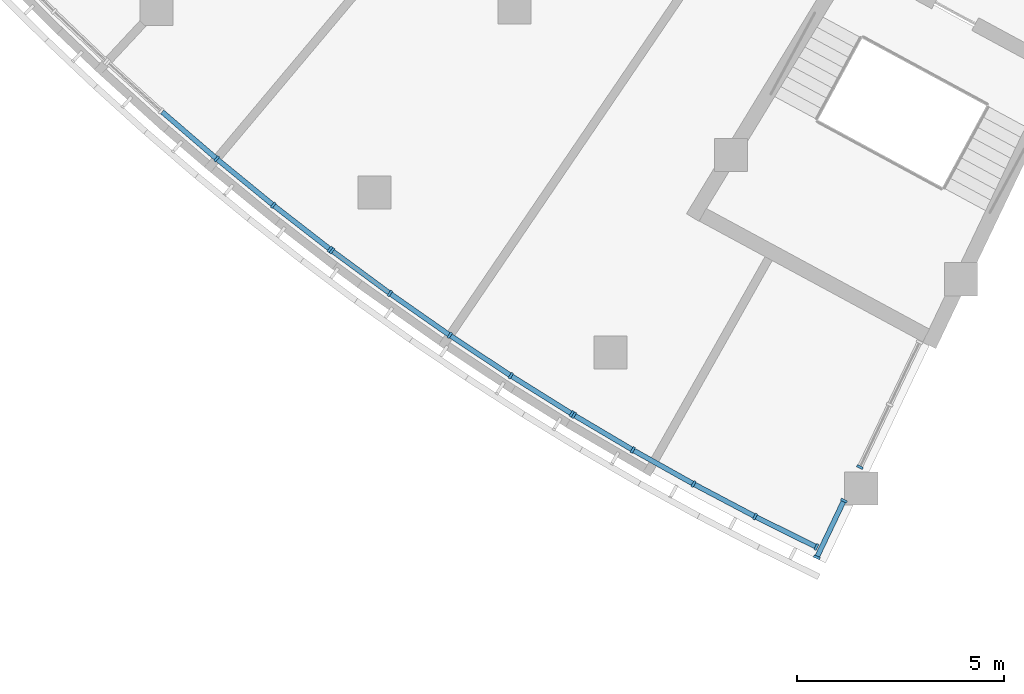
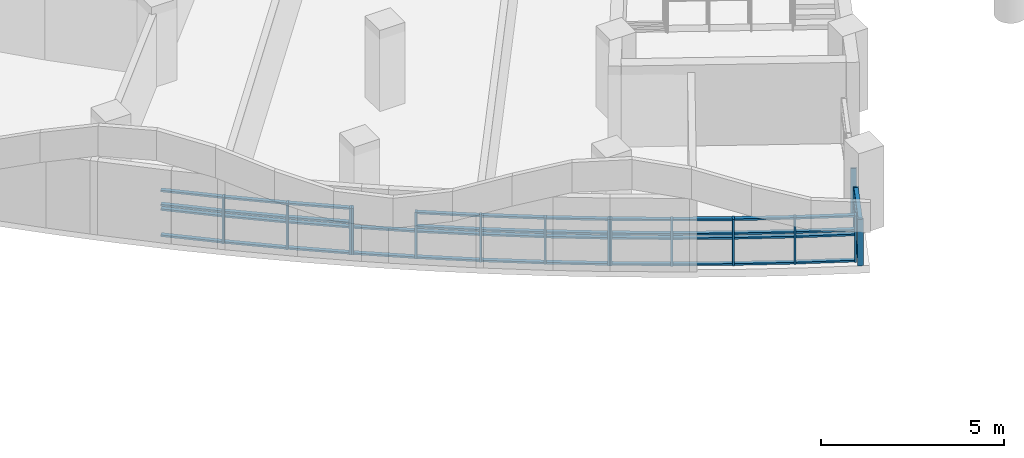
# One storey, part 3 of 89: 62 members, 5 elements without a shape of their own.
"""IFC4 building model written with IfcOpenShell, lengths in metres."""

from ifc_helpers import new_model, si_unit, direction, frame, origin, origin_2d, place, context, subcontext, project, spatial, rectangle, extrude, material, material_profile, profile_set, type_object, element, aggregate, save


model = new_model("IFC4")

# Units and contexts
model_context = context("Model", 3, precision=1e-05, world=origin(), true_north=direction((0.0, 1.0)))
body_context = subcontext(model_context, "Body", "Model", "MODEL_VIEW")
ifc_project = project(units=[si_unit("LENGTHUNIT", "METRE"), si_unit("AREAUNIT", "SQUARE_METRE"), si_unit("VOLUMEUNIT", "CUBIC_METRE"), si_unit("PLANEANGLEUNIT", "RADIAN"), si_unit("MASSUNIT", "GRAM", prefix="KILO")], contexts=[model_context])

# Site, building, storey
site_placement = place(None, origin())
site = spatial("IfcSite", under=ifc_project, at=site_placement, CompositionType="ELEMENT")
building_placement = place(site_placement, origin())
building = spatial("IfcBuilding", under=site, at=building_placement, Name="Bougainvillea Quay General Hospital", CompositionType="ELEMENT")
storey_placement = place(building_placement, frame((0.0, 0.0, 9.89990234375)))
storey = spatial("IfcBuildingStorey", under=building, at=storey_placement, Name="L01M", CompositionType="ELEMENT", Elevation=9.89990234375)

# Curtain wall, members
ifc_material_1 = material(Name="Aluminium curtain wall system, powder-coated glazed", Category="aluminium")
curtain_wall_type_1 = type_object("IfcCurtainWallType", Name="Unitised curtain wall CW-2100", PredefinedType="NOTDEFINED", material=ifc_material_1)
curtain_wall_1_placement = place(storey_placement, origin())
curtain_wall_1 = element("IfcCurtainWall", 1, at=curtain_wall_1_placement, inside=storey, type_object=curtain_wall_type_1, Name="CW-W01 a01b0", PredefinedType="NOTDEFINED")
ifc_material_2 = material(Name="Aluminium mullion, powder-coated charcoal", Category="aluminium")
ifc_material_profile_1 = material_profile(ifc_material_2, rectangle(XDim=0.159912109375, YDim=0.06005859375, at=origin_2d()))
ifc_profile_set_1 = profile_set([ifc_material_profile_1], Name="Aluminium mullion, powder-coated charcoal")
member_type_1 = type_object("IfcMemberType", Name="Curtain wall mullion 160x60", PredefinedType="MULLION", material=ifc_profile_set_1)
member_1_placement = place(storey_placement, frame((78.83935546875, 63.204833984375, 0.0), z_axis=(0.0, 0.0, 1.0), x_axis=(-0.445731386172, -0.895166761772, 0.0)))
member_1 = element("IfcMember", 2, at=member_1_placement, type_object=member_type_1, Name="CW-W01 mullion 1", PredefinedType="MULLION", context=body_context, shape_type="SweptSolid", body=[
    extrude(rectangle(XDim=0.159912109375, YDim=0.06005859375, at=origin_2d()), origin(), (0.0, 0.0, 1.0), 1.550048828125),
])
member_2_placement = place(storey_placement, frame((77.358642578125, 63.94189453125, 0.0), z_axis=(0.0, 0.0, 1.0), x_axis=(-0.456505398476, -0.889720642203, 0.0)))
member_2 = element("IfcMember", 3, at=member_2_placement, type_object=member_type_1, Name="CW-W01 mullion 2", PredefinedType="MULLION", context=body_context, shape_type="SweptSolid", body=[
    extrude(rectangle(XDim=0.159912109375, YDim=0.06005859375, at=origin_2d()), origin(), (0.0, 0.0, 1.0), 1.550048828125),
])
member_3_placement = place(storey_placement, frame((75.869873046875, 64.728759765625, 0.0), z_axis=(0.0, 0.0, 1.0), x_axis=(-0.477852269892, -0.878440213195, 0.0)))
member_3 = element("IfcMember", 4, at=member_3_placement, type_object=member_type_1, Name="CW-W01 mullion 3", PredefinedType="MULLION", context=body_context, shape_type="SweptSolid", body=[
    extrude(rectangle(XDim=0.159912109375, YDim=0.06005859375, at=origin_2d()), origin(), (0.0, 0.0, 1.0), 1.550048828125),
])
member_4_placement = place(storey_placement, frame((74.400390625, 65.55126953125, 0.0), z_axis=(0.0, 0.0, 1.0), x_axis=(-0.498920583541, -0.866647708887, 0.0)))
member_4 = element("IfcMember", 5, at=member_4_placement, type_object=member_type_1, Name="CW-W01 mullion 4", PredefinedType="MULLION", context=body_context, shape_type="SweptSolid", body=[
    extrude(rectangle(XDim=0.159912109375, YDim=0.06005859375, at=origin_2d()), origin(), (0.0, 0.0, 1.0), 1.550048828125),
])
member_5_placement = place(storey_placement, frame((72.976806640625, 66.393798828125, 0.0), z_axis=(0.0, 0.0, 1.0), x_axis=(-0.509346436695, -0.860561565158, 0.0)))
member_5 = element("IfcMember", 6, at=member_5_placement, type_object=member_type_1, Name="CW-W01 mullion 5", PredefinedType="MULLION", context=body_context, shape_type="SweptSolid", body=[
    extrude(rectangle(XDim=0.159912109375, YDim=0.06005859375, at=origin_2d()), origin(), (0.0, 0.0, 1.0), 1.550048828125),
])

curtain_wall_2_placement = place(storey_placement, origin())
curtain_wall_2 = element("IfcCurtainWall", 7, at=curtain_wall_2_placement, inside=storey, type_object=curtain_wall_type_1, Name="CW-W02 a01b1", PredefinedType="NOTDEFINED")
member_6_placement = place(storey_placement, frame((72.925537109375, 66.425048828125, 0.0), z_axis=(0.0, 0.0, 1.0), x_axis=(-0.530488991968, -0.847691824545, 0.0)))
member_6 = element("IfcMember", 8, at=member_6_placement, type_object=member_type_1, Name="CW-W02 mullion 1", PredefinedType="MULLION", context=body_context, shape_type="SweptSolid", body=[
    extrude(rectangle(XDim=0.159912109375, YDim=0.06005859375, at=origin_2d()), origin(), (0.0, 0.0, 1.0), 1.550048828125),
])
member_7_placement = place(storey_placement, frame((71.45166015625, 67.347412109375, 0.0), z_axis=(0.0, 0.0, 1.0), x_axis=(-0.541194636325, -0.840897357359, 0.0)))
member_7 = element("IfcMember", 9, at=member_7_placement, type_object=member_type_1, Name="CW-W02 mullion 2", PredefinedType="MULLION", context=body_context, shape_type="SweptSolid", body=[
    extrude(rectangle(XDim=0.159912109375, YDim=0.06005859375, at=origin_2d()), origin(), (0.0, 0.0, 1.0), 1.550048828125),
])
member_8_placement = place(storey_placement, frame((69.9765625, 68.323486328125, 0.0), z_axis=(0.0, 0.0, 1.0), x_axis=(-0.562343185136, -0.826903949762, 0.0)))
member_8 = element("IfcMember", 10, at=member_8_placement, type_object=member_type_1, Name="CW-W02 mullion 3", PredefinedType="MULLION", context=body_context, shape_type="SweptSolid", body=[
    extrude(rectangle(XDim=0.159912109375, YDim=0.06005859375, at=origin_2d()), origin(), (0.0, 0.0, 1.0), 1.550048828125),
])
member_9_placement = place(storey_placement, frame((68.526611328125, 69.336669921875, 0.0), z_axis=(0.0, 0.0, 1.0), x_axis=(-0.583130104218, -0.812378779606, 0.0)))
member_9 = element("IfcMember", 11, at=member_9_placement, type_object=member_type_1, Name="CW-W02 mullion 4", PredefinedType="MULLION", context=body_context, shape_type="SweptSolid", body=[
    extrude(rectangle(XDim=0.159912109375, YDim=0.06005859375, at=origin_2d()), origin(), (0.0, 0.0, 1.0), 1.550048828125),
])
member_10_placement = place(storey_placement, frame((67.127197265625, 70.368408203125, 0.0), z_axis=(0.0, 0.0, 1.0), x_axis=(-0.593383765922, -0.804919689373, 0.0)))
member_10 = element("IfcMember", 12, at=member_10_placement, type_object=member_type_1, Name="CW-W02 mullion 5", PredefinedType="MULLION", context=body_context, shape_type="SweptSolid", body=[
    extrude(rectangle(XDim=0.159912109375, YDim=0.06005859375, at=origin_2d()), origin(), (0.0, 0.0, 1.0), 1.550048828125),
])

curtain_wall_3_placement = place(storey_placement, origin())
curtain_wall_3 = element("IfcCurtainWall", 13, at=curtain_wall_3_placement, inside=storey, type_object=curtain_wall_type_1, Name="CW-W03 a01b2", PredefinedType="NOTDEFINED")
member_11_placement = place(storey_placement, frame((67.079345703125, 70.404541015625, 0.0), z_axis=(0.0, 0.0, 1.0), x_axis=(-0.613603251226, -0.789614494602, 0.0)))
member_11 = element("IfcMember", 14, at=member_11_placement, type_object=member_type_1, Name="CW-W03 mullion 1", PredefinedType="MULLION", context=body_context, shape_type="SweptSolid", body=[
    extrude(rectangle(XDim=0.159912109375, YDim=0.06005859375, at=origin_2d()), origin(), (0.0, 0.0, 1.0), 1.550048828125),
])
member_12_placement = place(storey_placement, frame((65.706298828125, 71.471435546875, 0.0), z_axis=(0.0, 0.0, 1.0), x_axis=(-0.623565824026, -0.781770850765, 0.0)))
member_12 = element("IfcMember", 15, at=member_12_placement, type_object=member_type_1, Name="CW-W03 mullion 2", PredefinedType="MULLION", context=body_context, shape_type="SweptSolid", body=[
    extrude(rectangle(XDim=0.159912109375, YDim=0.06005859375, at=origin_2d()), origin(), (0.0, 0.0, 1.0), 1.550048828125),
])
member_13_placement = place(storey_placement, frame((64.337646484375, 72.591796875, 0.0), z_axis=(0.0, 0.0, 1.0), x_axis=(-0.643188621489, -0.765707775321, 0.0)))
member_13 = element("IfcMember", 16, at=member_13_placement, type_object=member_type_1, Name="CW-W03 mullion 3", PredefinedType="MULLION", context=body_context, shape_type="SweptSolid", body=[
    extrude(rectangle(XDim=0.159912109375, YDim=0.06005859375, at=origin_2d()), origin(), (0.0, 0.0, 1.0), 1.550048828125),
])

curtain_wall_type_2 = type_object("IfcCurtainWallType", Name="Unitised curtain wall CW-1580", PredefinedType="NOTDEFINED", material=ifc_material_1)
curtain_wall_4_placement = place(storey_placement, origin())
curtain_wall_4 = element("IfcCurtainWall", 17, at=curtain_wall_4_placement, inside=storey, type_object=curtain_wall_type_2, Name="CW-AE 00", PredefinedType="NOTDEFINED")
member_14_placement = place(storey_placement, frame((78.851318359375, 62.95361328125, 0.0), z_axis=(0.0, 0.0, 1.0), x_axis=(-0.902578440897, 0.430525444112, 0.0)))
member_14 = element("IfcMember", 18, at=member_14_placement, type_object=member_type_1, Name="CW-AE mullion 1", PredefinedType="MULLION", context=body_context, shape_type="SweptSolid", body=[
    extrude(rectangle(XDim=0.159912109375, YDim=0.06005859375, at=origin_2d()), origin(), (0.0, 0.0, 1.0), 1.550048828125),
])
member_15_placement = place(storey_placement, frame((79.505615234375, 64.325439453125, 0.0), z_axis=(0.0, 0.0, 1.0), x_axis=(-0.902578440897, 0.430525444112, 0.0)))
member_15 = element("IfcMember", 19, at=member_15_placement, type_object=member_type_1, Name="CW-AE mullion 2", PredefinedType="MULLION", context=body_context, shape_type="SweptSolid", body=[
    extrude(rectangle(XDim=0.159912109375, YDim=0.06005859375, at=origin_2d()), origin(), (0.0, 0.0, 1.0), 1.550048828125),
])

# Curtain wall, member
curtain_wall_type_3 = type_object("IfcCurtainWallType", Name="Unitised curtain wall CW-1703", PredefinedType="NOTDEFINED", material=ifc_material_1)
curtain_wall_5_placement = place(storey_placement, origin())
curtain_wall_5 = element("IfcCurtainWall", 20, at=curtain_wall_5_placement, inside=storey, type_object=curtain_wall_type_3, Name="CW-AE 01", PredefinedType="NOTDEFINED")
member_16_placement = place(storey_placement, frame((79.89306640625, 65.1376953125, 0.0), z_axis=(0.0, 0.0, 1.0), x_axis=(-0.902578440897, 0.430525444112, 0.0)))
member_16 = element("IfcMember", 21, at=member_16_placement, type_object=member_type_1, Name="CW-AE mullion 1", PredefinedType="MULLION", context=body_context, shape_type="SweptSolid", body=[
    extrude(rectangle(XDim=0.159912109375, YDim=0.06005859375, at=origin_2d()), origin(), (0.0, 0.0, 1.0), 1.550048828125),
])
aggregate(curtain_wall_5, [member_16])

# Member
ifc_material_3 = material(Name="Aluminium transom, powder-coated charcoal", Category="aluminium")
ifc_material_profile_2 = material_profile(ifc_material_3, rectangle(XDim=0.1201171875, YDim=0.06005859375, at=origin_2d()))
ifc_profile_set_2 = profile_set([ifc_material_profile_2], Name="Aluminium transom, powder-coated charcoal")
member_type_2 = type_object("IfcMemberType", Name="Curtain wall transom 120x60", PredefinedType="USERDEFINED", material=ifc_profile_set_2)
member_17_placement = place(storey_placement, frame((78.8125, 63.218017578125, 0.030029296875), z_axis=(-0.895130546745, 0.445804109765, 0.0), x_axis=(-0.445804109765, -0.895130546745, 0.0)))
member_17 = element("IfcMember", 22, at=member_17_placement, type_object=member_type_2, Name="CW-W01 transom 1.1", ObjectType="TRANSOM", PredefinedType="USERDEFINED", context=body_context, shape_type="SweptSolid", body=[
    extrude(rectangle(XDim=0.1201171875, YDim=0.06005859375, at=origin_2d()), origin(), (0.0, 0.0, 1.0), 1.59423828125),
])

member_18_placement = place(storey_placement, frame((78.8125, 63.218017578125, 0.900146484375), z_axis=(-0.895130546745, 0.445804109765, 0.0), x_axis=(-0.445804109765, -0.895130546745, 0.0)))
member_18 = element("IfcMember", 23, at=member_18_placement, type_object=member_type_2, Name="CW-W01 transom 1.2", ObjectType="TRANSOM", PredefinedType="USERDEFINED", context=body_context, shape_type="SweptSolid", body=[
    extrude(rectangle(XDim=0.1201171875, YDim=0.06005859375, at=origin_2d()), origin(), (0.0, 0.0, 1.0), 1.59423828125),
])

member_19_placement = place(storey_placement, frame((78.8125, 63.218017578125, 1.050048828125), z_axis=(-0.895130546745, 0.445804109765, 0.0), x_axis=(-0.445804109765, -0.895130546745, 0.0)))
member_19 = element("IfcMember", 24, at=member_19_placement, type_object=member_type_2, Name="CW-W01 transom 1.3", ObjectType="TRANSOM", PredefinedType="USERDEFINED", context=body_context, shape_type="SweptSolid", body=[
    extrude(rectangle(XDim=0.1201171875, YDim=0.06005859375, at=origin_2d()), origin(), (0.0, 0.0, 1.0), 1.59423828125),
])

member_20_placement = place(storey_placement, frame((78.8125, 63.218017578125, 1.52001953125), z_axis=(-0.895130546745, 0.445804109765, 0.0), x_axis=(-0.445804109765, -0.895130546745, 0.0)))
member_20 = element("IfcMember", 25, at=member_20_placement, type_object=member_type_2, Name="CW-W01 transom 1.4", ObjectType="TRANSOM", PredefinedType="USERDEFINED", context=body_context, shape_type="SweptSolid", body=[
    extrude(rectangle(XDim=0.1201171875, YDim=0.06005859375, at=origin_2d()), origin(), (0.0, 0.0, 1.0), 1.59423828125),
])

member_21_placement = place(storey_placement, frame((77.332275390625, 63.9560546875, 0.030029296875), z_axis=(-0.884160582564, 0.46718311639, 0.0), x_axis=(-0.46718311639, -0.884160582564, 0.0)))
member_21 = element("IfcMember", 26, at=member_21_placement, type_object=member_type_2, Name="CW-W01 transom 2.1", ObjectType="TRANSOM", PredefinedType="USERDEFINED", context=body_context, shape_type="SweptSolid", body=[
    extrude(rectangle(XDim=0.1201171875, YDim=0.06005859375, at=origin_2d()), origin(), (0.0, 0.0, 1.0), 1.624267578125),
])

member_22_placement = place(storey_placement, frame((77.332275390625, 63.9560546875, 0.900146484375), z_axis=(-0.884160582564, 0.46718311639, 0.0), x_axis=(-0.46718311639, -0.884160582564, 0.0)))
member_22 = element("IfcMember", 27, at=member_22_placement, type_object=member_type_2, Name="CW-W01 transom 2.2", ObjectType="TRANSOM", PredefinedType="USERDEFINED", context=body_context, shape_type="SweptSolid", body=[
    extrude(rectangle(XDim=0.1201171875, YDim=0.06005859375, at=origin_2d()), origin(), (0.0, 0.0, 1.0), 1.624267578125),
])

member_23_placement = place(storey_placement, frame((77.332275390625, 63.9560546875, 1.050048828125), z_axis=(-0.884160582564, 0.46718311639, 0.0), x_axis=(-0.46718311639, -0.884160582564, 0.0)))
member_23 = element("IfcMember", 28, at=member_23_placement, type_object=member_type_2, Name="CW-W01 transom 2.3", ObjectType="TRANSOM", PredefinedType="USERDEFINED", context=body_context, shape_type="SweptSolid", body=[
    extrude(rectangle(XDim=0.1201171875, YDim=0.06005859375, at=origin_2d()), origin(), (0.0, 0.0, 1.0), 1.624267578125),
])

member_24_placement = place(storey_placement, frame((77.332275390625, 63.9560546875, 1.52001953125), z_axis=(-0.884160582564, 0.46718311639, 0.0), x_axis=(-0.46718311639, -0.884160582564, 0.0)))
member_24 = element("IfcMember", 29, at=member_24_placement, type_object=member_type_2, Name="CW-W01 transom 2.4", ObjectType="TRANSOM", PredefinedType="USERDEFINED", context=body_context, shape_type="SweptSolid", body=[
    extrude(rectangle(XDim=0.1201171875, YDim=0.06005859375, at=origin_2d()), origin(), (0.0, 0.0, 1.0), 1.624267578125),
])

member_25_placement = place(storey_placement, frame((75.84375, 64.743408203125, 0.030029296875), z_axis=(-0.872621342538, 0.48839737156, 0.0), x_axis=(-0.48839737156, -0.872621342538, 0.0)))
member_25 = element("IfcMember", 30, at=member_25_placement, type_object=member_type_2, Name="CW-W01 transom 3.1", ObjectType="TRANSOM", PredefinedType="USERDEFINED", context=body_context, shape_type="SweptSolid", body=[
    extrude(rectangle(XDim=0.1201171875, YDim=0.06005859375, at=origin_2d()), origin(), (0.0, 0.0, 1.0), 1.6240234375),
])

member_26_placement = place(storey_placement, frame((75.84375, 64.743408203125, 0.900146484375), z_axis=(-0.872621342538, 0.48839737156, 0.0), x_axis=(-0.48839737156, -0.872621342538, 0.0)))
member_26 = element("IfcMember", 31, at=member_26_placement, type_object=member_type_2, Name="CW-W01 transom 3.2", ObjectType="TRANSOM", PredefinedType="USERDEFINED", context=body_context, shape_type="SweptSolid", body=[
    extrude(rectangle(XDim=0.1201171875, YDim=0.06005859375, at=origin_2d()), origin(), (0.0, 0.0, 1.0), 1.6240234375),
])

member_27_placement = place(storey_placement, frame((75.84375, 64.743408203125, 1.050048828125), z_axis=(-0.872621342538, 0.48839737156, 0.0), x_axis=(-0.48839737156, -0.872621342538, 0.0)))
member_27 = element("IfcMember", 32, at=member_27_placement, type_object=member_type_2, Name="CW-W01 transom 3.3", ObjectType="TRANSOM", PredefinedType="USERDEFINED", context=body_context, shape_type="SweptSolid", body=[
    extrude(rectangle(XDim=0.1201171875, YDim=0.06005859375, at=origin_2d()), origin(), (0.0, 0.0, 1.0), 1.6240234375),
])

member_28_placement = place(storey_placement, frame((75.84375, 64.743408203125, 1.52001953125), z_axis=(-0.872621342538, 0.48839737156, 0.0), x_axis=(-0.48839737156, -0.872621342538, 0.0)))
member_28 = element("IfcMember", 33, at=member_28_placement, type_object=member_type_2, Name="CW-W01 transom 3.4", ObjectType="TRANSOM", PredefinedType="USERDEFINED", context=body_context, shape_type="SweptSolid", body=[
    extrude(rectangle(XDim=0.1201171875, YDim=0.06005859375, at=origin_2d()), origin(), (0.0, 0.0, 1.0), 1.6240234375),
])

member_29_placement = place(storey_placement, frame((74.37451171875, 65.566650390625, 0.030029296875), z_axis=(-0.860545172696, 0.509374131409, 0.0), x_axis=(-0.509374131409, -0.860545172696, 0.0)))
member_29 = element("IfcMember", 34, at=member_29_placement, type_object=member_type_2, Name="CW-W01 transom 4.1", ObjectType="TRANSOM", PredefinedType="USERDEFINED", context=body_context, shape_type="SweptSolid", body=[
    extrude(rectangle(XDim=0.1201171875, YDim=0.06005859375, at=origin_2d()), origin(), (0.0, 0.0, 1.0), 1.59423828125),
])

member_30_placement = place(storey_placement, frame((74.37451171875, 65.566650390625, 0.900146484375), z_axis=(-0.860545172696, 0.509374131409, 0.0), x_axis=(-0.509374131409, -0.860545172696, 0.0)))
member_30 = element("IfcMember", 35, at=member_30_placement, type_object=member_type_2, Name="CW-W01 transom 4.2", ObjectType="TRANSOM", PredefinedType="USERDEFINED", context=body_context, shape_type="SweptSolid", body=[
    extrude(rectangle(XDim=0.1201171875, YDim=0.06005859375, at=origin_2d()), origin(), (0.0, 0.0, 1.0), 1.59423828125),
])

member_31_placement = place(storey_placement, frame((74.37451171875, 65.566650390625, 1.050048828125), z_axis=(-0.860545172696, 0.509374131409, 0.0), x_axis=(-0.509374131409, -0.860545172696, 0.0)))
member_31 = element("IfcMember", 36, at=member_31_placement, type_object=member_type_2, Name="CW-W01 transom 4.3", ObjectType="TRANSOM", PredefinedType="USERDEFINED", context=body_context, shape_type="SweptSolid", body=[
    extrude(rectangle(XDim=0.1201171875, YDim=0.06005859375, at=origin_2d()), origin(), (0.0, 0.0, 1.0), 1.59423828125),
])

member_32_placement = place(storey_placement, frame((74.37451171875, 65.566650390625, 1.52001953125), z_axis=(-0.860545172696, 0.509374131409, 0.0), x_axis=(-0.509374131409, -0.860545172696, 0.0)))
member_32 = element("IfcMember", 37, at=member_32_placement, type_object=member_type_2, Name="CW-W01 transom 4.4", ObjectType="TRANSOM", PredefinedType="USERDEFINED", context=body_context, shape_type="SweptSolid", body=[
    extrude(rectangle(XDim=0.1201171875, YDim=0.06005859375, at=origin_2d()), origin(), (0.0, 0.0, 1.0), 1.59423828125),
])

aggregate(curtain_wall_1, [member_1, member_2, member_3, member_4, member_5, member_17, member_18, member_19, member_20, member_21, member_22, member_23, member_24, member_25, member_26, member_27, member_28, member_29, member_30, member_31, member_32])

member_33_placement = place(storey_placement, frame((72.900146484375, 66.44091796875, 0.030029296875), z_axis=(-0.847679524006, 0.530508647036, 0.0), x_axis=(-0.530508647036, -0.847679524006, 0.0)))
member_33 = element("IfcMember", 38, at=member_33_placement, type_object=member_type_2, Name="CW-W02 transom 1.1", ObjectType="TRANSOM", PredefinedType="USERDEFINED", context=body_context, shape_type="SweptSolid", body=[
    extrude(rectangle(XDim=0.1201171875, YDim=0.06005859375, at=origin_2d()), origin(), (0.0, 0.0, 1.0), 1.6787109375),
])

member_34_placement = place(storey_placement, frame((72.900146484375, 66.44091796875, 0.900146484375), z_axis=(-0.847679524006, 0.530508647036, 0.0), x_axis=(-0.530508647036, -0.847679524006, 0.0)))
member_34 = element("IfcMember", 39, at=member_34_placement, type_object=member_type_2, Name="CW-W02 transom 1.2", ObjectType="TRANSOM", PredefinedType="USERDEFINED", context=body_context, shape_type="SweptSolid", body=[
    extrude(rectangle(XDim=0.1201171875, YDim=0.06005859375, at=origin_2d()), origin(), (0.0, 0.0, 1.0), 1.6787109375),
])

member_35_placement = place(storey_placement, frame((72.900146484375, 66.44091796875, 1.050048828125), z_axis=(-0.847679524006, 0.530508647036, 0.0), x_axis=(-0.530508647036, -0.847679524006, 0.0)))
member_35 = element("IfcMember", 40, at=member_35_placement, type_object=member_type_2, Name="CW-W02 transom 1.3", ObjectType="TRANSOM", PredefinedType="USERDEFINED", context=body_context, shape_type="SweptSolid", body=[
    extrude(rectangle(XDim=0.1201171875, YDim=0.06005859375, at=origin_2d()), origin(), (0.0, 0.0, 1.0), 1.6787109375),
])

member_36_placement = place(storey_placement, frame((72.900146484375, 66.44091796875, 1.52001953125), z_axis=(-0.847679524006, 0.530508647036, 0.0), x_axis=(-0.530508647036, -0.847679524006, 0.0)))
member_36 = element("IfcMember", 41, at=member_36_placement, type_object=member_type_2, Name="CW-W02 transom 1.4", ObjectType="TRANSOM", PredefinedType="USERDEFINED", context=body_context, shape_type="SweptSolid", body=[
    extrude(rectangle(XDim=0.1201171875, YDim=0.06005859375, at=origin_2d()), origin(), (0.0, 0.0, 1.0), 1.6787109375),
])

member_37_placement = place(storey_placement, frame((71.4267578125, 67.364013671875, 0.030029296875), z_axis=(-0.833979585155, 0.551795298589, 0.0), x_axis=(-0.551795298589, -0.833979585155, 0.0)))
member_37 = element("IfcMember", 42, at=member_37_placement, type_object=member_type_2, Name="CW-W02 transom 2.1", ObjectType="TRANSOM", PredefinedType="USERDEFINED", context=body_context, shape_type="SweptSolid", body=[
    extrude(rectangle(XDim=0.1201171875, YDim=0.06005859375, at=origin_2d()), origin(), (0.0, 0.0, 1.0), 1.708740234375),
])

member_38_placement = place(storey_placement, frame((71.4267578125, 67.364013671875, 0.900146484375), z_axis=(-0.833979585155, 0.551795298589, 0.0), x_axis=(-0.551795298589, -0.833979585155, 0.0)))
member_38 = element("IfcMember", 43, at=member_38_placement, type_object=member_type_2, Name="CW-W02 transom 2.2", ObjectType="TRANSOM", PredefinedType="USERDEFINED", context=body_context, shape_type="SweptSolid", body=[
    extrude(rectangle(XDim=0.1201171875, YDim=0.06005859375, at=origin_2d()), origin(), (0.0, 0.0, 1.0), 1.708740234375),
])

member_39_placement = place(storey_placement, frame((71.4267578125, 67.364013671875, 1.050048828125), z_axis=(-0.833979585155, 0.551795298589, 0.0), x_axis=(-0.551795298589, -0.833979585155, 0.0)))
member_39 = element("IfcMember", 44, at=member_39_placement, type_object=member_type_2, Name="CW-W02 transom 2.3", ObjectType="TRANSOM", PredefinedType="USERDEFINED", context=body_context, shape_type="SweptSolid", body=[
    extrude(rectangle(XDim=0.1201171875, YDim=0.06005859375, at=origin_2d()), origin(), (0.0, 0.0, 1.0), 1.708740234375),
])

member_40_placement = place(storey_placement, frame((71.4267578125, 67.364013671875, 1.52001953125), z_axis=(-0.833979585155, 0.551795298589, 0.0), x_axis=(-0.551795298589, -0.833979585155, 0.0)))
member_40 = element("IfcMember", 45, at=member_40_placement, type_object=member_type_2, Name="CW-W02 transom 2.4", ObjectType="TRANSOM", PredefinedType="USERDEFINED", context=body_context, shape_type="SweptSolid", body=[
    extrude(rectangle(XDim=0.1201171875, YDim=0.06005859375, at=origin_2d()), origin(), (0.0, 0.0, 1.0), 1.708740234375),
])

member_41_placement = place(storey_placement, frame((69.951904296875, 68.340576171875, 0.030029296875), z_axis=(-0.81969481029, 0.572800504524, 0.0), x_axis=(-0.572800504524, -0.81969481029, 0.0)))
member_41 = element("IfcMember", 46, at=member_41_placement, type_object=member_type_2, Name="CW-W02 transom 3.1", ObjectType="TRANSOM", PredefinedType="USERDEFINED", context=body_context, shape_type="SweptSolid", body=[
    extrude(rectangle(XDim=0.1201171875, YDim=0.06005859375, at=origin_2d()), origin(), (0.0, 0.0, 1.0), 1.708740234375),
])

member_42_placement = place(storey_placement, frame((69.951904296875, 68.340576171875, 0.900146484375), z_axis=(-0.81969481029, 0.572800504524, 0.0), x_axis=(-0.572800504524, -0.81969481029, 0.0)))
member_42 = element("IfcMember", 47, at=member_42_placement, type_object=member_type_2, Name="CW-W02 transom 3.2", ObjectType="TRANSOM", PredefinedType="USERDEFINED", context=body_context, shape_type="SweptSolid", body=[
    extrude(rectangle(XDim=0.1201171875, YDim=0.06005859375, at=origin_2d()), origin(), (0.0, 0.0, 1.0), 1.708740234375),
])

member_43_placement = place(storey_placement, frame((69.951904296875, 68.340576171875, 1.050048828125), z_axis=(-0.81969481029, 0.572800504524, 0.0), x_axis=(-0.572800504524, -0.81969481029, 0.0)))
member_43 = element("IfcMember", 48, at=member_43_placement, type_object=member_type_2, Name="CW-W02 transom 3.3", ObjectType="TRANSOM", PredefinedType="USERDEFINED", context=body_context, shape_type="SweptSolid", body=[
    extrude(rectangle(XDim=0.1201171875, YDim=0.06005859375, at=origin_2d()), origin(), (0.0, 0.0, 1.0), 1.708740234375),
])

member_44_placement = place(storey_placement, frame((69.951904296875, 68.340576171875, 1.52001953125), z_axis=(-0.81969481029, 0.572800504524, 0.0), x_axis=(-0.572800504524, -0.81969481029, 0.0)))
member_44 = element("IfcMember", 49, at=member_44_placement, type_object=member_type_2, Name="CW-W02 transom 3.4", ObjectType="TRANSOM", PredefinedType="USERDEFINED", context=body_context, shape_type="SweptSolid", body=[
    extrude(rectangle(XDim=0.1201171875, YDim=0.06005859375, at=origin_2d()), origin(), (0.0, 0.0, 1.0), 1.708740234375),
])

member_45_placement = place(storey_placement, frame((68.50244140625, 69.3544921875, 0.030029296875), z_axis=(-0.804894956089, 0.593417314934, 0.0), x_axis=(-0.593417314934, -0.804894956089, 0.0)))
member_45 = element("IfcMember", 50, at=member_45_placement, type_object=member_type_2, Name="CW-W02 transom 4.1", ObjectType="TRANSOM", PredefinedType="USERDEFINED", context=body_context, shape_type="SweptSolid", body=[
    extrude(rectangle(XDim=0.1201171875, YDim=0.06005859375, at=origin_2d()), origin(), (0.0, 0.0, 1.0), 1.678466796875),
])

member_46_placement = place(storey_placement, frame((68.50244140625, 69.3544921875, 0.900146484375), z_axis=(-0.804894956089, 0.593417314934, 0.0), x_axis=(-0.593417314934, -0.804894956089, 0.0)))
member_46 = element("IfcMember", 51, at=member_46_placement, type_object=member_type_2, Name="CW-W02 transom 4.2", ObjectType="TRANSOM", PredefinedType="USERDEFINED", context=body_context, shape_type="SweptSolid", body=[
    extrude(rectangle(XDim=0.1201171875, YDim=0.06005859375, at=origin_2d()), origin(), (0.0, 0.0, 1.0), 1.678466796875),
])

aggregate(curtain_wall_2, [member_6, member_7, member_8, member_9, member_10, member_33, member_34, member_35, member_36, member_37, member_38, member_39, member_40, member_41, member_42, member_43, member_44, member_45, member_46])

member_47_placement = place(storey_placement, frame((67.0556640625, 70.423095703125, 0.030029296875), z_axis=(-0.789657512127, 0.613547890178, 0.0), x_axis=(-0.613547890178, -0.789657512127, 0.0)))
member_47 = element("IfcMember", 52, at=member_47_placement, type_object=member_type_2, Name="CW-W03 transom 1.1", ObjectType="TRANSOM", PredefinedType="USERDEFINED", context=body_context, shape_type="SweptSolid", body=[
    extrude(rectangle(XDim=0.1201171875, YDim=0.06005859375, at=origin_2d()), origin(), (0.0, 0.0, 1.0), 1.6787109375),
])

member_48_placement = place(storey_placement, frame((67.0556640625, 70.423095703125, 0.900146484375), z_axis=(-0.789657512127, 0.613547890178, 0.0), x_axis=(-0.613547890178, -0.789657512127, 0.0)))
member_48 = element("IfcMember", 53, at=member_48_placement, type_object=member_type_2, Name="CW-W03 transom 1.2", ObjectType="TRANSOM", PredefinedType="USERDEFINED", context=body_context, shape_type="SweptSolid", body=[
    extrude(rectangle(XDim=0.1201171875, YDim=0.06005859375, at=origin_2d()), origin(), (0.0, 0.0, 1.0), 1.6787109375),
])

member_49_placement = place(storey_placement, frame((67.0556640625, 70.423095703125, 1.050048828125), z_axis=(-0.789657512127, 0.613547890178, 0.0), x_axis=(-0.613547890178, -0.789657512127, 0.0)))
member_49 = element("IfcMember", 54, at=member_49_placement, type_object=member_type_2, Name="CW-W03 transom 1.3", ObjectType="TRANSOM", PredefinedType="USERDEFINED", context=body_context, shape_type="SweptSolid", body=[
    extrude(rectangle(XDim=0.1201171875, YDim=0.06005859375, at=origin_2d()), origin(), (0.0, 0.0, 1.0), 1.6787109375),
])

member_50_placement = place(storey_placement, frame((67.0556640625, 70.423095703125, 1.52001953125), z_axis=(-0.789657512127, 0.613547890178, 0.0), x_axis=(-0.613547890178, -0.789657512127, 0.0)))
member_50 = element("IfcMember", 55, at=member_50_placement, type_object=member_type_2, Name="CW-W03 transom 1.4", ObjectType="TRANSOM", PredefinedType="USERDEFINED", context=body_context, shape_type="SweptSolid", body=[
    extrude(rectangle(XDim=0.1201171875, YDim=0.06005859375, at=origin_2d()), origin(), (0.0, 0.0, 1.0), 1.6787109375),
])

member_51_placement = place(storey_placement, frame((65.68310546875, 71.490478515625, 0.030029296875), z_axis=(-0.773766303508, 0.633471157635, 0.0), x_axis=(-0.633471157635, -0.773766303508, 0.0)))
member_51 = element("IfcMember", 56, at=member_51_placement, type_object=member_type_2, Name="CW-W03 transom 2.1", ObjectType="TRANSOM", PredefinedType="USERDEFINED", context=body_context, shape_type="SweptSolid", body=[
    extrude(rectangle(XDim=0.1201171875, YDim=0.06005859375, at=origin_2d()), origin(), (0.0, 0.0, 1.0), 1.708984375),
])

member_52_placement = place(storey_placement, frame((65.68310546875, 71.490478515625, 0.900146484375), z_axis=(-0.773766303508, 0.633471157635, 0.0), x_axis=(-0.633471157635, -0.773766303508, 0.0)))
member_52 = element("IfcMember", 57, at=member_52_placement, type_object=member_type_2, Name="CW-W03 transom 2.2", ObjectType="TRANSOM", PredefinedType="USERDEFINED", context=body_context, shape_type="SweptSolid", body=[
    extrude(rectangle(XDim=0.1201171875, YDim=0.06005859375, at=origin_2d()), origin(), (0.0, 0.0, 1.0), 1.708984375),
])

member_53_placement = place(storey_placement, frame((65.68310546875, 71.490478515625, 1.050048828125), z_axis=(-0.773766303508, 0.633471157635, 0.0), x_axis=(-0.633471157635, -0.773766303508, 0.0)))
member_53 = element("IfcMember", 58, at=member_53_placement, type_object=member_type_2, Name="CW-W03 transom 2.3", ObjectType="TRANSOM", PredefinedType="USERDEFINED", context=body_context, shape_type="SweptSolid", body=[
    extrude(rectangle(XDim=0.1201171875, YDim=0.06005859375, at=origin_2d()), origin(), (0.0, 0.0, 1.0), 1.708984375),
])

member_54_placement = place(storey_placement, frame((65.68310546875, 71.490478515625, 1.52001953125), z_axis=(-0.773766303508, 0.633471157635, 0.0), x_axis=(-0.633471157635, -0.773766303508, 0.0)))
member_54 = element("IfcMember", 59, at=member_54_placement, type_object=member_type_2, Name="CW-W03 transom 2.4", ObjectType="TRANSOM", PredefinedType="USERDEFINED", context=body_context, shape_type="SweptSolid", body=[
    extrude(rectangle(XDim=0.1201171875, YDim=0.06005859375, at=origin_2d()), origin(), (0.0, 0.0, 1.0), 1.708984375),
])

member_55_placement = place(storey_placement, frame((64.31494140625, 72.611572265625, 0.030029296875), z_axis=(-0.757529337262, 0.6528011207, 0.0), x_axis=(-0.6528011207, -0.757529337262, 0.0)))
member_55 = element("IfcMember", 60, at=member_55_placement, type_object=member_type_2, Name="CW-W03 transom 3.1", ObjectType="TRANSOM", PredefinedType="USERDEFINED", context=body_context, shape_type="SweptSolid", body=[
    extrude(rectangle(XDim=0.1201171875, YDim=0.06005859375, at=origin_2d()), origin(), (0.0, 0.0, 1.0), 1.708740234375),
])

member_56_placement = place(storey_placement, frame((64.31494140625, 72.611572265625, 0.900146484375), z_axis=(-0.757529337262, 0.6528011207, 0.0), x_axis=(-0.6528011207, -0.757529337262, 0.0)))
member_56 = element("IfcMember", 61, at=member_56_placement, type_object=member_type_2, Name="CW-W03 transom 3.2", ObjectType="TRANSOM", PredefinedType="USERDEFINED", context=body_context, shape_type="SweptSolid", body=[
    extrude(rectangle(XDim=0.1201171875, YDim=0.06005859375, at=origin_2d()), origin(), (0.0, 0.0, 1.0), 1.708740234375),
])

member_57_placement = place(storey_placement, frame((64.31494140625, 72.611572265625, 1.050048828125), z_axis=(-0.757529337262, 0.6528011207, 0.0), x_axis=(-0.6528011207, -0.757529337262, 0.0)))
member_57 = element("IfcMember", 62, at=member_57_placement, type_object=member_type_2, Name="CW-W03 transom 3.3", ObjectType="TRANSOM", PredefinedType="USERDEFINED", context=body_context, shape_type="SweptSolid", body=[
    extrude(rectangle(XDim=0.1201171875, YDim=0.06005859375, at=origin_2d()), origin(), (0.0, 0.0, 1.0), 1.708740234375),
])

member_58_placement = place(storey_placement, frame((64.31494140625, 72.611572265625, 1.52001953125), z_axis=(-0.757529337262, 0.6528011207, 0.0), x_axis=(-0.6528011207, -0.757529337262, 0.0)))
member_58 = element("IfcMember", 63, at=member_58_placement, type_object=member_type_2, Name="CW-W03 transom 3.4", ObjectType="TRANSOM", PredefinedType="USERDEFINED", context=body_context, shape_type="SweptSolid", body=[
    extrude(rectangle(XDim=0.1201171875, YDim=0.06005859375, at=origin_2d()), origin(), (0.0, 0.0, 1.0), 1.708740234375),
])

aggregate(curtain_wall_3, [member_11, member_12, member_13, member_47, member_48, member_49, member_50, member_51, member_52, member_53, member_54, member_55, member_56, member_57, member_58])

member_59_placement = place(storey_placement, frame((78.8642578125, 62.980712890625, 0.030029296875), z_axis=(0.430478813346, 0.902600682063, 0.0), x_axis=(-0.902600682063, 0.430478813346, 0.0)))
member_59 = element("IfcMember", 64, at=member_59_placement, type_object=member_type_2, Name="CW-AE transom 1.1", ObjectType="TRANSOM", PredefinedType="USERDEFINED", context=body_context, shape_type="SweptSolid", body=[
    extrude(rectangle(XDim=0.1201171875, YDim=0.06005859375, at=origin_2d()), origin(), (0.0, 0.0, 1.0), 1.459716796875),
])

member_60_placement = place(storey_placement, frame((78.8642578125, 62.980712890625, 0.900146484375), z_axis=(0.430478813346, 0.902600682063, 0.0), x_axis=(-0.902600682063, 0.430478813346, 0.0)))
member_60 = element("IfcMember", 65, at=member_60_placement, type_object=member_type_2, Name="CW-AE transom 1.2", ObjectType="TRANSOM", PredefinedType="USERDEFINED", context=body_context, shape_type="SweptSolid", body=[
    extrude(rectangle(XDim=0.1201171875, YDim=0.06005859375, at=origin_2d()), origin(), (0.0, 0.0, 1.0), 1.459716796875),
])

member_61_placement = place(storey_placement, frame((78.8642578125, 62.980712890625, 1.050048828125), z_axis=(0.430478813346, 0.902600682063, 0.0), x_axis=(-0.902600682063, 0.430478813346, 0.0)))
member_61 = element("IfcMember", 66, at=member_61_placement, type_object=member_type_2, Name="CW-AE transom 1.3", ObjectType="TRANSOM", PredefinedType="USERDEFINED", context=body_context, shape_type="SweptSolid", body=[
    extrude(rectangle(XDim=0.1201171875, YDim=0.06005859375, at=origin_2d()), origin(), (0.0, 0.0, 1.0), 1.459716796875),
])

member_62_placement = place(storey_placement, frame((78.8642578125, 62.980712890625, 1.52001953125), z_axis=(0.430478813346, 0.902600682063, 0.0), x_axis=(-0.902600682063, 0.430478813346, 0.0)))
member_62 = element("IfcMember", 67, at=member_62_placement, type_object=member_type_2, Name="CW-AE transom 1.4", ObjectType="TRANSOM", PredefinedType="USERDEFINED", context=body_context, shape_type="SweptSolid", body=[
    extrude(rectangle(XDim=0.1201171875, YDim=0.06005859375, at=origin_2d()), origin(), (0.0, 0.0, 1.0), 1.459716796875),
])

aggregate(curtain_wall_4, [member_14, member_15, member_59, member_60, member_61, member_62])

save(model, "model.ifc")
